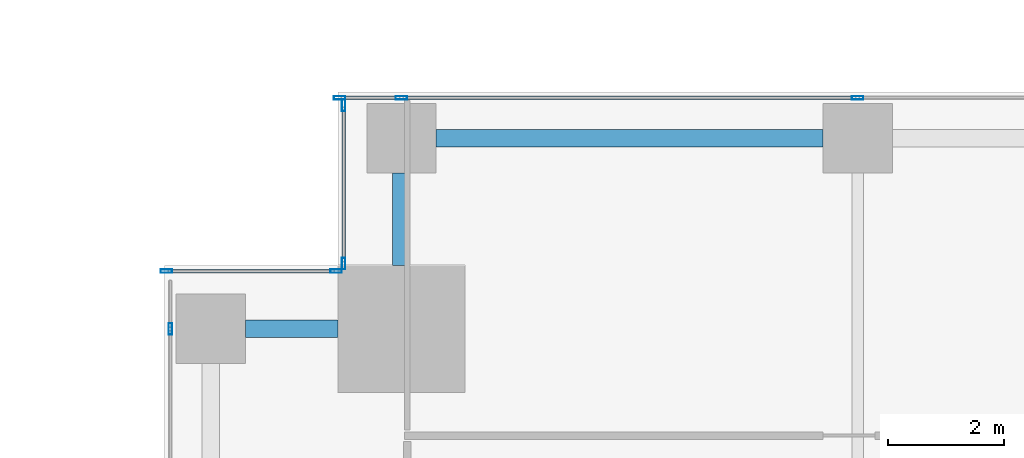
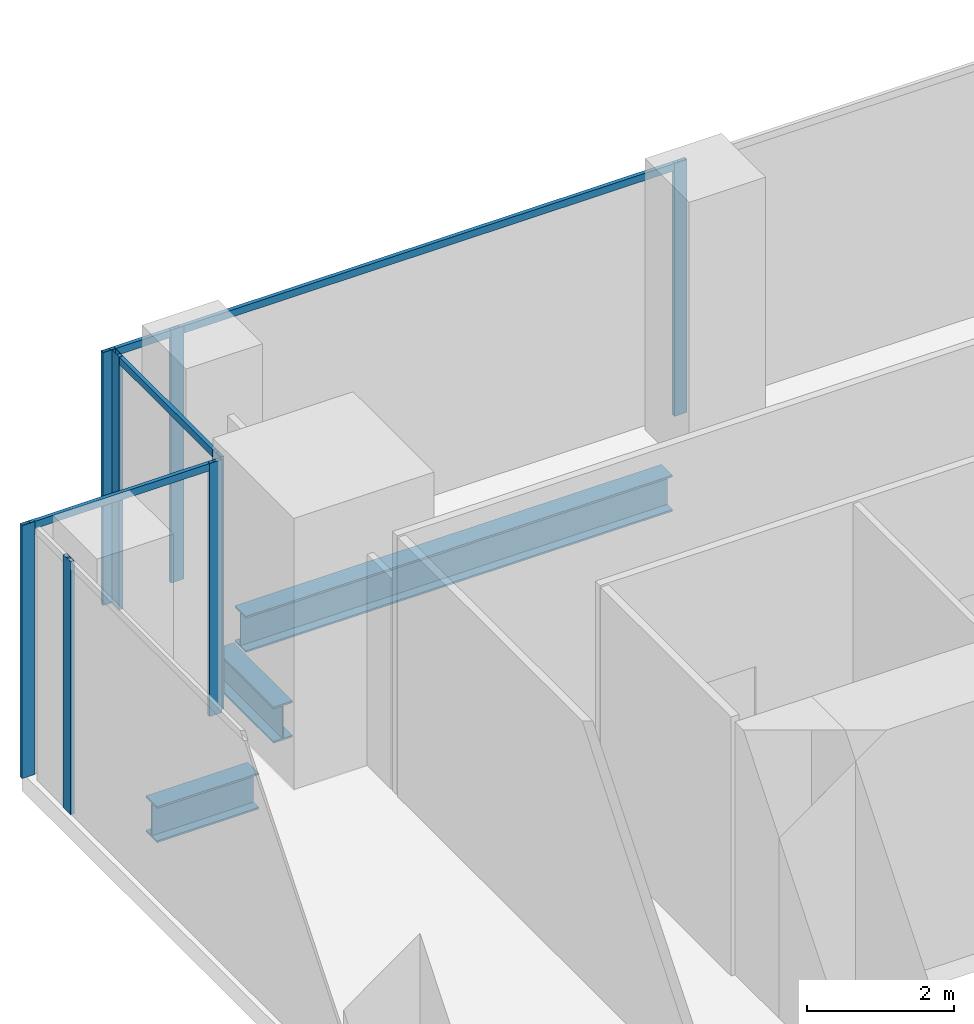
# One storey, part 14 of 33: 12 members, 3 beams, 4 elements without a shape of their own.
"""IFC4 building model written with IfcOpenShell, lengths in metres."""

from ifc_helpers import new_model, si_unit, direction, frame, origin, origin_2d, place, context, subcontext, project, spatial, hollow_rectangle, i_section, extrude, source, transform, mapped, material, material_profile, profile_set, type_object, element, aggregate, save


model = new_model("IFC4")

# Units and contexts
model_context = context("Model", 3, precision=1e-05, world=origin(), true_north=direction((0.0, 1.0)))
body_context = subcontext(model_context, "Body", "Model", "MODEL_VIEW")
ifc_project = project(units=[si_unit("LENGTHUNIT", "METRE"), si_unit("AREAUNIT", "SQUARE_METRE"), si_unit("VOLUMEUNIT", "CUBIC_METRE"), si_unit("PLANEANGLEUNIT", "RADIAN"), si_unit("MASSUNIT", "GRAM", prefix="KILO")], contexts=[model_context])

# Site, building, storey
site_placement = place(None, origin())
site = spatial("IfcSite", under=ifc_project, at=site_placement, CompositionType="ELEMENT")
building_placement = place(site_placement, origin())
building = spatial("IfcBuilding", under=site, at=building_placement, Name="Khomas Fold Tower", CompositionType="ELEMENT")
storey_placement = place(building_placement, frame((0.0, 0.0, 91.5)))
storey = spatial("IfcBuildingStorey", under=building, at=storey_placement, Name="L19", CompositionType="ELEMENT", Elevation=91.5)

# Beams
ifc_material_1 = material(Name="Steel S355", Category="steel")
ifc_material_profile_1 = material_profile(ifc_material_1, i_section(OverallWidth=0.300048828125, OverallDepth=0.60009765625, WebThickness=0.015380859375, FlangeThickness=0.030029296875, at=origin_2d()), Name="HE 600 B")
ifc_profile_set_1 = profile_set([ifc_material_profile_1], Name="Steel S355")
beam_type = type_object("IfcBeamType", Name="HE 600 B spandrel SB1", PredefinedType="SPANDREL", material=ifc_profile_set_1)
shared_shape_1 = source(origin(), body_context, "Body", "SweptSolid", [
    extrude(i_section(OverallWidth=0.300048828125, OverallDepth=0.60009765625, WebThickness=0.015380859375, FlangeThickness=0.030029296875, at=origin_2d()), origin(), (0.0, 0.0, 1.0), 6.699951171875),
])
beam_placement = place(storey_placement, frame((4.699951171875, 53.199951171875, -0.60009765625), z_axis=(1.0, 0.0, 0.0), x_axis=(0.0, 1.0, 0.0)))
element("IfcBeam", 1, at=beam_placement, inside=storey, type_object=beam_type, Name="SB1", PredefinedType="SPANDREL", context=body_context, shape_type="MappedRepresentation", body=[
    mapped(shared_shape_1, transform((0.0, 0.0, 0.0))),
])
shared_shape_2 = source(origin(), body_context, "Body", "SweptSolid", [
    extrude(i_section(OverallWidth=0.300048828125, OverallDepth=0.60009765625, WebThickness=0.015380859375, FlangeThickness=0.030029296875, at=origin_2d()), origin(), (0.0, 0.0, 1.0), 1.60009765625),
])
for number, where, z_axis, x_axis, name in (
    (2, (4.10009765625, 51.0, -0.60009765625), (0.0, 1.0, 0.0), (-1.0, 0.0, 0.0), "SB1"),
    (3, (1.39990234375, 49.89990234375, -0.60009765625), (1.0, 0.0, 0.0), (0.0, 1.0, 0.0), "SB1"),
):
    element("IfcBeam", number, at=place(storey_placement, frame(where, z_axis=z_axis, x_axis=x_axis)), inside=storey, type_object=beam_type, Name=name, PredefinedType="SPANDREL", context=body_context, shape_type="MappedRepresentation", body=[
        mapped(shared_shape_2, transform((0.0, 0.0, 0.0))),
    ])

# Curtain wall, members
ifc_material_2 = material(Name="Aluminium framed double glazing", Category="aluminium")
curtain_wall_type = type_object("IfcCurtainWallType", Name="SK-Unitised clear-glass wall, growing floors CW1", PredefinedType="NOTDEFINED", material=ifc_material_2)
curtain_wall_1_placement = place(storey_placement, origin())
curtain_wall_1 = element("IfcCurtainWall", 4, at=curtain_wall_1_placement, inside=storey, type_object=curtain_wall_type, Name="CW1 run L19 06-1", PredefinedType="NOTDEFINED")
ifc_material_3 = material(Name="Aluminium", Category="aluminium")
ifc_material_profile_2 = material_profile(ifc_material_3, hollow_rectangle(XDim=0.06005859375, YDim=0.1201171875, WallThickness=0.00390625, at=origin_2d()), Name="SK-Unitised clear-glass wall, growing floors transom CW1-T")
ifc_profile_set_2 = profile_set([ifc_material_profile_2], Name="Aluminium")
member_type_1 = type_object("IfcMemberType", Name="SK-Unitised clear-glass wall, growing floors transom CW1-T", PredefinedType="USERDEFINED", material=ifc_profile_set_2)
shared_shape_3 = source(origin(), body_context, "Body", "SweptSolid", [
    extrude(hollow_rectangle(XDim=0.06005859375, YDim=0.1201171875, WallThickness=0.00390625, at=origin_2d()), origin(), (0.0, 0.0, 1.0), 7.840087890625),
])
member_1_placement = place(storey_placement, frame((11.969970703125, 53.89990234375, 4.139892578125), z_axis=(-1.0, 0.0, 0.0), x_axis=(0.0, -1.0, 0.0)))
member_1 = element("IfcMember", 5, at=member_1_placement, type_object=member_type_1, Name="CW1 transom 4", ObjectType="TRANSOM", PredefinedType="USERDEFINED", context=body_context, shape_type="MappedRepresentation", body=[
    mapped(shared_shape_3, transform((0.0, 0.0, 0.0))),
])
shared_shape_4 = source(origin(), body_context, "Body", "SweptSolid", [
    extrude(hollow_rectangle(XDim=0.06005859375, YDim=0.1201171875, WallThickness=0.00390625, at=origin_2d()), origin(), (0.0, 0.0, 1.0), 1.010009765625),
])
member_2_placement = place(storey_placement, frame((4.070068359375, 53.89990234375, 4.139892578125), z_axis=(-1.0, 0.0, 0.0), x_axis=(0.0, -1.0, 0.0)))
member_2 = element("IfcMember", 6, at=member_2_placement, type_object=member_type_1, Name="CW1 transom 5", ObjectType="TRANSOM", PredefinedType="USERDEFINED", context=body_context, shape_type="MappedRepresentation", body=[
    mapped(shared_shape_4, transform((0.0, 0.0, 0.0))),
])

# Curtain wall, member
curtain_wall_2_placement = place(storey_placement, origin())
curtain_wall_2 = element("IfcCurtainWall", 7, at=curtain_wall_2_placement, inside=storey, type_object=curtain_wall_type, Name="CW1 corner return L19 07", PredefinedType="NOTDEFINED")
shared_shape_5 = source(origin(), body_context, "Body", "SweptSolid", [
    extrude(hollow_rectangle(XDim=0.06005859375, YDim=0.1201171875, WallThickness=0.00390625, at=origin_2d()), origin(), (0.0, 0.0, 1.0), 2.679931640625),
])
member_3_placement = place(storey_placement, frame((3.10009765625, 53.739990234375, 4.139892578125), z_axis=(0.0, -1.0, 0.0), x_axis=(1.0, 0.0, 0.0)))
member_3 = element("IfcMember", 8, at=member_3_placement, type_object=member_type_1, Name="CW1 transom 1", ObjectType="TRANSOM", PredefinedType="USERDEFINED", context=body_context, shape_type="MappedRepresentation", body=[
    mapped(shared_shape_5, transform((0.0, 0.0, 0.0))),
])

curtain_wall_3_placement = place(storey_placement, origin())
curtain_wall_3 = element("IfcCurtainWall", 9, at=curtain_wall_3_placement, inside=storey, type_object=curtain_wall_type, Name="CW1 corner return L19 08", PredefinedType="NOTDEFINED")
shared_shape_6 = source(origin(), body_context, "Body", "SweptSolid", [
    extrude(hollow_rectangle(XDim=0.06005859375, YDim=0.1201171875, WallThickness=0.00390625, at=origin_2d()), origin(), (0.0, 0.0, 1.0), 2.8798828125),
])
member_4_placement = place(storey_placement, frame((2.93994140625, 50.89990234375, 4.139892578125), z_axis=(-1.0, 0.0, 0.0), x_axis=(0.0, -1.0, 0.0)))
member_4 = element("IfcMember", 10, at=member_4_placement, type_object=member_type_1, Name="CW1 transom 1", ObjectType="TRANSOM", PredefinedType="USERDEFINED", context=body_context, shape_type="MappedRepresentation", body=[
    mapped(shared_shape_6, transform((0.0, 0.0, 0.0))),
])

# Member
ifc_material_4 = material(Name="Aluminium", Category="aluminium")
ifc_material_profile_3 = material_profile(ifc_material_4, hollow_rectangle(XDim=0.06005859375, YDim=0.199951171875, WallThickness=0.00390625, at=origin_2d()), Name="SK-Unitised clear-glass wall, growing floors mullion CW1-M")
ifc_profile_set_3 = profile_set([ifc_material_profile_3], Name="Aluminium")
member_type_2 = type_object("IfcMemberType", Name="SK-Unitised clear-glass wall, growing floors mullion CW1-M", PredefinedType="MULLION", material=ifc_profile_set_3)
shared_shape_7 = source(origin(), body_context, "Body", "SweptSolid", [
    extrude(hollow_rectangle(XDim=0.06005859375, YDim=0.199951171875, WallThickness=0.00390625, at=origin_2d()), origin(), (0.0, 0.0, 1.0), 4.199951171875),
])
member_5_placement = place(storey_placement, frame((12.0, 53.89990234375, 0.0), z_axis=(0.0, 0.0, 1.0), x_axis=(0.0, -1.0, 0.0)))
member_5 = element("IfcMember", 11, at=member_5_placement, type_object=member_type_2, Name="CW1 mullion 4", PredefinedType="MULLION", context=body_context, shape_type="MappedRepresentation", body=[
    mapped(shared_shape_7, transform((0.0, 0.0, 0.0))),
])

member_6_placement = place(storey_placement, frame((4.10009765625, 53.89990234375, 0.0), z_axis=(0.0, 0.0, 1.0), x_axis=(0.0, -1.0, 0.0)))
member_6 = element("IfcMember", 12, at=member_6_placement, type_object=member_type_2, Name="CW1 mullion 5", PredefinedType="MULLION", context=body_context, shape_type="MappedRepresentation", body=[
    mapped(shared_shape_7, transform((0.0, 0.0, 0.0))),
])

member_7_placement = place(storey_placement, frame((3.030029296875, 53.89990234375, 0.0), z_axis=(0.0, 0.0, 1.0), x_axis=(0.0, -1.0, 0.0)))
member_7 = element("IfcMember", 13, at=member_7_placement, type_object=member_type_2, Name="CW1 mullion 6", PredefinedType="MULLION", context=body_context, shape_type="MappedRepresentation", body=[
    mapped(shared_shape_7, transform((0.0, 0.0, 0.0))),
])

aggregate(curtain_wall_1, [member_5, member_6, member_7, member_1, member_2])

member_8_placement = place(storey_placement, frame((3.10009765625, 53.77001953125, 0.0), z_axis=(0.0, 0.0, 1.0), x_axis=(1.0, 0.0, 0.0)))
member_8 = element("IfcMember", 14, at=member_8_placement, type_object=member_type_2, Name="CW1 mullion 1", PredefinedType="MULLION", context=body_context, shape_type="MappedRepresentation", body=[
    mapped(shared_shape_7, transform((0.0, 0.0, 0.0))),
])

member_9_placement = place(storey_placement, frame((3.10009765625, 51.030029296875, 0.0), z_axis=(0.0, 0.0, 1.0), x_axis=(1.0, 0.0, 0.0)))
member_9 = element("IfcMember", 15, at=member_9_placement, type_object=member_type_2, Name="CW1 mullion 2", PredefinedType="MULLION", context=body_context, shape_type="MappedRepresentation", body=[
    mapped(shared_shape_7, transform((0.0, 0.0, 0.0))),
])

aggregate(curtain_wall_2, [member_8, member_9, member_3])

member_10_placement = place(storey_placement, frame((2.969970703125, 50.89990234375, 0.0), z_axis=(0.0, 0.0, 1.0), x_axis=(0.0, -1.0, 0.0)))
member_10 = element("IfcMember", 16, at=member_10_placement, type_object=member_type_2, Name="CW1 mullion 1", PredefinedType="MULLION", context=body_context, shape_type="MappedRepresentation", body=[
    mapped(shared_shape_7, transform((0.0, 0.0, 0.0))),
])

member_11_placement = place(storey_placement, frame((0.030029296875, 50.89990234375, 0.0), z_axis=(0.0, 0.0, 1.0), x_axis=(0.0, -1.0, 0.0)))
member_11 = element("IfcMember", 17, at=member_11_placement, type_object=member_type_2, Name="CW1 mullion 2", PredefinedType="MULLION", context=body_context, shape_type="MappedRepresentation", body=[
    mapped(shared_shape_7, transform((0.0, 0.0, 0.0))),
])

aggregate(curtain_wall_3, [member_10, member_11, member_4])

# Curtain wall, member
curtain_wall_4_placement = place(storey_placement, origin())
curtain_wall_4 = element("IfcCurtainWall", 18, at=curtain_wall_4_placement, inside=storey, type_object=curtain_wall_type, Name="CW1 run L19 09-0", PredefinedType="NOTDEFINED")
member_12_placement = place(storey_placement, frame((0.10009765625, 49.89990234375, 0.0), z_axis=(0.0, 0.0, 1.0), x_axis=(1.0, 0.0, 0.0)))
member_12 = element("IfcMember", 19, at=member_12_placement, type_object=member_type_2, Name="CW1 mullion 2", PredefinedType="MULLION", context=body_context, shape_type="MappedRepresentation", body=[
    mapped(shared_shape_7, transform((0.0, 0.0, 0.0))),
])
aggregate(curtain_wall_4, [member_12])

save(model, "model.ifc")
